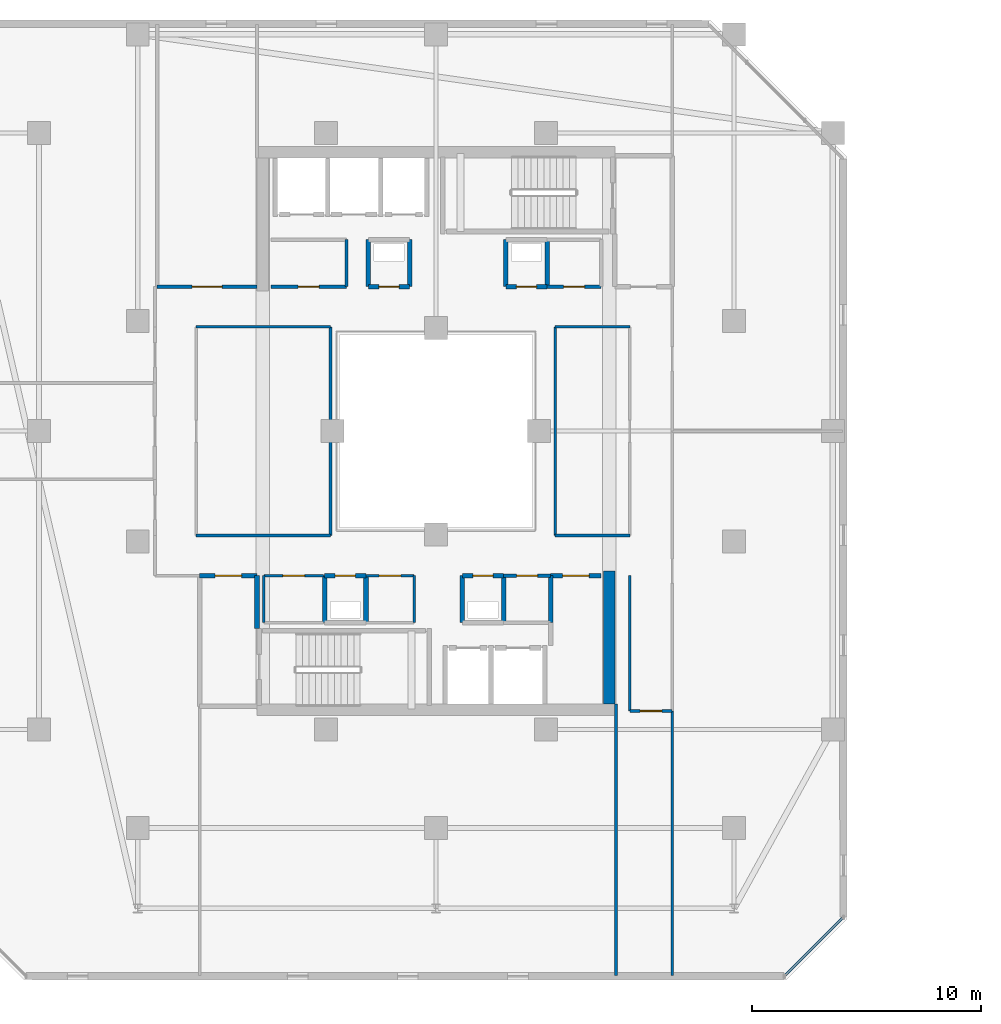
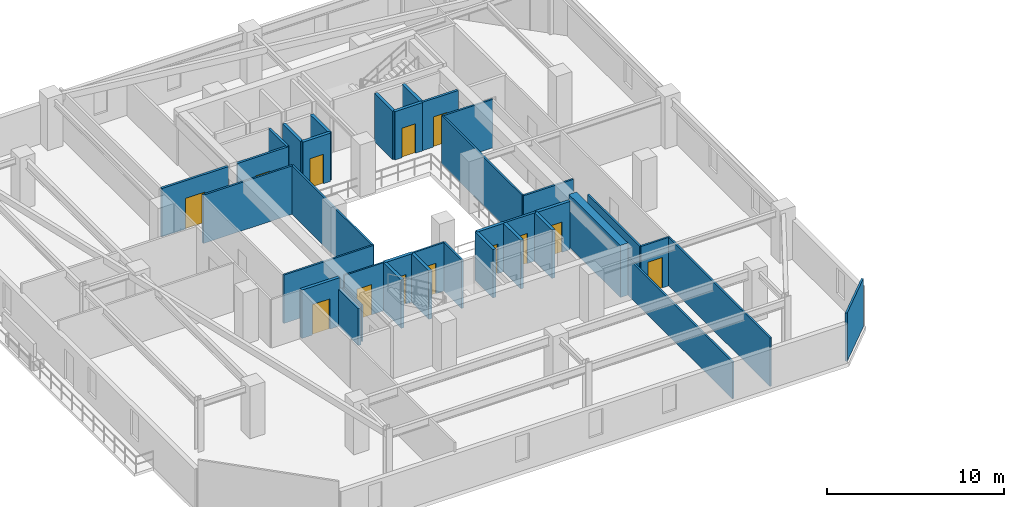
# One storey, part 19 of 31: 37 walls, 13 doors, 13 openings.
"""IFC4 building model written with IfcOpenShell, lengths in metres."""

import ifcopenshell
import ifcopenshell.guid

model = None  # the IFC model being written
_history = None  # IfcOwnerHistory: only IFC2X3 demands one
_inside = {}  # id of a spatial element -> (the spatial element, [elements in it])
_under = {}  # id of a project, library or spatial element -> (it, [spatial elements below it])
_declared = {}  # id of a project -> (the project, [libraries it declares])
_typed = {}  # id of a type object -> (the type object, [elements of that type])
_made_of = {}  # id of a material, layer set ... -> (it, [elements and type objects made of it])


def new_model(schema):
    """Start an empty IFC model of exactly this schema.

    Asked for "IFC4X3", IfcOpenShell would pick the latest addendum, in which some entities
    have other attributes; the version numbers below select the first issue.
    IFC2X3 requires an IfcOwnerHistory on every rooted entity: one is made here for all.
    """
    global model, _history
    if schema == "IFC4X3":
        model = ifcopenshell.file(schema_version=(4, 3, 0, 0))
    else:
        model = ifcopenshell.file(schema=schema)
    _inside.clear()
    _under.clear()
    _declared.clear()
    _typed.clear()
    _made_of.clear()
    _history = None
    if model.schema == "IFC2X3":
        org = make("IfcOrganization", Name="unknown")
        user = make(
            "IfcPersonAndOrganization",
            ThePerson=make("IfcPerson", FamilyName="unknown"),
            TheOrganization=org,
        )
        app = make(
            "IfcApplication",
            ApplicationDeveloper=org,
            Version="unknown",
            ApplicationFullName="unknown",
            ApplicationIdentifier="unknown",
        )
        _history = make(
            "IfcOwnerHistory",
            OwningUser=user,
            OwningApplication=app,
            ChangeAction="ADDED",
            CreationDate=0,
        )
    return model


def make(cls, **values):
    """One entity of the class cls with the attributes given. An attribute that is None is left unset."""
    return model.create_entity(
        cls, **{name: value for name, value in values.items() if value is not None}
    )


def rooted(cls, **values):
    """An entity with a GlobalId (a new one), such as an element, a storey or a relation."""
    return make(cls, GlobalId=ifcopenshell.guid.new(), OwnerHistory=_history, **values)


def si_unit(unit_type, name, prefix=None):
    """IfcSIUnit, for example si_unit("LENGTHUNIT", "METRE", prefix="MILLI")."""
    return make("IfcSIUnit", UnitType=unit_type, Prefix=prefix, Name=name)


def assignment(units):
    """IfcUnitAssignment: the units of a project."""
    return None if units is None else make("IfcUnitAssignment", Units=units)


def point(xyz):
    """IfcCartesianPoint."""
    return None if xyz is None else make("IfcCartesianPoint", Coordinates=xyz)


def direction(xyz):
    """IfcDirection."""
    return None if xyz is None else make("IfcDirection", DirectionRatios=xyz)


def frame(location, z_axis=None, x_axis=None):
    """IfcAxis2Placement3D, a coordinate frame: its origin and axes. An axis left out is left unset."""
    return make(
        "IfcAxis2Placement3D",
        Location=point(location),
        Axis=direction(z_axis),
        RefDirection=direction(x_axis),
    )


def frame_2d(location, x_axis=None):
    """IfcAxis2Placement2D, a coordinate frame in the plane: its origin and x axis."""
    return make(
        "IfcAxis2Placement2D", Location=point(location), RefDirection=direction(x_axis)
    )


def origin():
    """The frame at (0, 0, 0) with its axes left unset."""
    return frame((0.0, 0.0, 0.0))


def place(relative_to, where):
    """IfcLocalPlacement: puts the frame where relative to a parent placement (None: the world)."""
    return make(
        "IfcLocalPlacement", PlacementRelTo=relative_to, RelativePlacement=where
    )


def context(
    kind, dimensions, precision=None, world=None, true_north=None, identifier=None
):
    """IfcGeometricRepresentationContext, for example the 3D "Model" context."""
    return make(
        "IfcGeometricRepresentationContext",
        ContextIdentifier=identifier,
        ContextType=kind,
        CoordinateSpaceDimension=dimensions,
        Precision=precision,
        WorldCoordinateSystem=world,
        TrueNorth=true_north,
    )


def subcontext(parent, identifier, kind, view, scale=None):
    """IfcGeometricRepresentationSubContext, for example "Body" below "Model"."""
    return make(
        "IfcGeometricRepresentationSubContext",
        ContextIdentifier=identifier,
        ContextType=kind,
        ParentContext=parent,
        TargetScale=scale,
        TargetView=view,
    )


def project(units=None, contexts=None):
    """IfcProject with its units and contexts."""
    return rooted(
        "IfcProject",
        Name="project",
        RepresentationContexts=contexts,
        UnitsInContext=assignment(units),
    )


def spatial(cls, under=None, at=None, **own):
    """A site, building, storey or space (cls), placed at a placement, below another one or the project."""
    s = rooted(cls, ObjectPlacement=at, **own)
    if under is not None:
        _under.setdefault(under.id(), (under, []))[1].append(s)
    return s


def profile(cls, at=None, kind="AREA", **sizes):
    """A parametric profile (cls). Its sizes go by their IFC names, for example OverallWidth=200.0."""
    return make(cls, ProfileType=kind, Position=at, **sizes)


def rectangle(**sizes):
    """IfcRectangleProfileDef."""
    return profile("IfcRectangleProfileDef", **sizes)


def extrude(swept, where, along, depth):
    """IfcExtrudedAreaSolid: the profile swept, set in the frame where, extruded along a direction by depth."""
    return make(
        "IfcExtrudedAreaSolid",
        SweptArea=swept,
        Position=where,
        ExtrudedDirection=direction(along),
        Depth=depth,
    )


def shape(context_of_items, identifier, shape_type, items):
    """IfcShapeRepresentation: the items that make up one representation, for example the "Body"."""
    return make(
        "IfcShapeRepresentation",
        ContextOfItems=context_of_items,
        RepresentationIdentifier=identifier,
        RepresentationType=shape_type,
        Items=items,
    )


def material(Name=None, Category=None):
    """IfcMaterial."""
    return make("IfcMaterial", Name=Name, Category=Category)


def layer(
    of_material, thickness, ventilated=None, Name=None, Category=None, Priority=None
):
    """IfcMaterialLayer: one layer of a wall or slab, of a material (None: an air gap)."""
    return make(
        "IfcMaterialLayer",
        Material=of_material,
        LayerThickness=thickness,
        IsVentilated=ventilated,
        Name=Name,
        Category=Category,
        Priority=Priority,
    )


def layer_set(layers, Name=None):
    """IfcMaterialLayerSet."""
    return make("IfcMaterialLayerSet", MaterialLayers=layers, LayerSetName=Name)


def made_of(thing, what):
    """Note that an element or type object is made of a material, layer set ...; save() writes the relation."""
    if what is not None:
        _made_of.setdefault(what.id(), (what, []))[1].append(thing)
    return thing


def type_object(cls, material=None, **own):
    """A type object (cls), such as IfcWallType, which elements share."""
    return made_of(rooted(cls, **own), material)


def element(
    cls,
    number,
    at=None,
    inside=None,
    cuts=None,
    type_object=None,
    material=None,
    context=None,
    identifier="Body",
    shape_type=None,
    held_by="IfcProductDefinitionShape",
    body=None,
    shapes=None,
    **own,
):
    """One element of the class cls, such as IfcWall. Its Tag is "e" and its number.

    at: its placement. inside: the storey or other place that contains it. cuts: it is an
    opening in that element (IfcRelVoidsElement). A single representation is given by context,
    identifier, shape_type and body (its items); several are given by shapes. held_by: the class
    of the entity that holds the representations. save() writes the other relations.
    """
    e = rooted(cls, Tag="e%d" % number, ObjectPlacement=at, **own)
    if body is not None:
        shapes = [shape(context, identifier, shape_type, body)]
    if shapes is not None:
        e.Representation = make(held_by, Representations=shapes)
    if inside is not None:
        _inside.setdefault(inside.id(), (inside, []))[1].append(e)
    if cuts is not None:
        rooted(
            "IfcRelVoidsElement", RelatingBuildingElement=cuts, RelatedOpeningElement=e
        )
    if type_object is not None:
        _typed.setdefault(type_object.id(), (type_object, []))[1].append(e)
    return made_of(e, material)


def fill(opening, filler):
    """IfcRelFillsElement: the door or window that sits in an opening."""
    return rooted(
        "IfcRelFillsElement",
        RelatingOpeningElement=opening,
        RelatedBuildingElement=filler,
    )


def aggregate(whole, parts):
    """IfcRelAggregates: a whole, such as a stair, and the parts it consists of."""
    return rooted("IfcRelAggregates", RelatingObject=whole, RelatedObjects=parts)


def save(model, path):
    """Write the relations noted so far, then the file.

    IfcRelAggregates (storeys below a building ...), IfcRelContainedInSpatialStructure (elements
    in a storey), IfcRelDefinesByType, IfcRelAssociatesMaterial and IfcRelDeclares: one each for
    every whole, place, type object, material and project.
    """
    for whole, parts in _under.values():
        aggregate(whole, parts)
    for where, things in _inside.values():
        rooted(
            "IfcRelContainedInSpatialStructure",
            RelatedElements=things,
            RelatingStructure=where,
        )
    for kind, things in _typed.values():
        rooted("IfcRelDefinesByType", RelatedObjects=things, RelatingType=kind)
    for what, things in _made_of.values():
        rooted("IfcRelAssociatesMaterial", RelatedObjects=things, RelatingMaterial=what)
    for by, libraries in _declared.values():
        rooted("IfcRelDeclares", RelatingContext=by, RelatedDefinitions=libraries)
    model.write(path)


model = new_model("IFC4")

# Units and contexts
model_context = context("Model", 3, precision=1e-05, world=origin(), true_north=direction((0.0, 1.0)))
body_context = subcontext(model_context, "Body", "Model", "MODEL_VIEW")
ifc_project = project(units=[si_unit("LENGTHUNIT", "METRE"), si_unit("AREAUNIT", "SQUARE_METRE"), si_unit("VOLUMEUNIT", "CUBIC_METRE"), si_unit("PLANEANGLEUNIT", "RADIAN"), si_unit("MASSUNIT", "GRAM", prefix="KILO")], contexts=[model_context])

# Site, building, storey
site_placement = place(None, origin())
site = spatial("IfcSite", under=ifc_project, at=site_placement, CompositionType="ELEMENT")
building_placement = place(site_placement, origin())
building = spatial("IfcBuilding", under=site, at=building_placement, Name="Thornwick Lancets Civic Towers", CompositionType="ELEMENT")
storey_placement = place(building_placement, frame((0.0, 0.0, 233.10009765625)))
storey = spatial("IfcBuildingStorey", under=building, at=storey_placement, Name="L62", CompositionType="ELEMENT", Elevation=233.10009765625)

# Wall
ifc_material_1 = material(Name="Concrete blockwork C40/50", Category="masonry")
ifc_layer_1 = layer(ifc_material_1, 0.199951171875, Name="Concrete blockwork C40/50")
ifc_layer_set_1 = layer_set([ifc_layer_1], Name="Concrete blockwork C40/50")
wall_type_1 = type_object("IfcWallType", Name="WALL_COMP_200", PredefinedType="STANDARD", material=ifc_layer_set_1)
wall_1_placement = place(storey_placement, frame((17.699951171875, 18.39990234375, 0.0), z_axis=(0.0, 0.0, 1.0), x_axis=(0.0, 1.0, 0.0)))
element("IfcWall", 1, at=wall_1_placement, inside=storey, type_object=wall_type_1, Name="L62 Partition L62-A-FFLOB1 E2", PredefinedType="STANDARD", context=body_context, shape_type="SweptSolid", body=[
    extrude(rectangle(XDim=2.300048828125, YDim=0.199951171875, at=frame_2d((1.14990234375, 0.0))), origin(), (0.0, 0.0, 1.0), 2.544921875),
])

# Wall, opening, door
wall_2_placement = place(storey_placement, frame((17.699951171875, 20.699951171875, 0.0), z_axis=(0.0, 0.0, 1.0), x_axis=(-1.0, 0.0, 0.0)))
wall_2 = element("IfcWall", 2, at=wall_2_placement, inside=storey, type_object=wall_type_1, Name="L62 Partition L62-A-FFLOB1 E3", PredefinedType="STANDARD", context=body_context, shape_type="SweptSolid", body=[
    extrude(rectangle(XDim=2.5, YDim=0.199951171875, at=frame_2d((1.25, 0.0))), origin(), (0.0, 0.0, 1.0), 3.33984375),
])
opening_1_placement = place(wall_2_placement, frame((0.675048828125, 0.0, 0.0)))
opening_1 = element("IfcOpeningElement", 3, at=opening_1_placement, cuts=wall_2, Name="Opening D-L62-2781", PredefinedType="OPENING", context=body_context, shape_type="SweptSolid", body=[
    extrude(rectangle(XDim=1.14990234375, YDim=2.10009765625, at=frame_2d((0.574951171875, 1.050048828125))), frame((0.0, 0.10986328125, 0.0), z_axis=(0.0, -1.0, 0.0), x_axis=(1.0, 0.0, 0.0)), (0.0, 0.0, 1.0), 0.219970703125),
])
ifc_material_2 = material(Name="Glazed fire-resisting steel", Category="steel")
door_type_1 = type_object("IfcDoorType", Name="DOOR_LOBBY_FD60", OperationType="NOTDEFINED", PredefinedType="DOOR", material=ifc_material_2)
door_1_placement = place(opening_1_placement, origin())
door_1 = element("IfcDoor", 4, at=door_1_placement, inside=storey, type_object=door_type_1, Name="L62 South Firefighting Lobby 1 Door", OperationType="SINGLE_SWING_RIGHT", OverallHeight=2.10009765625, OverallWidth=1.14990234375, PredefinedType="DOOR", context=body_context, shape_type="SweptSolid", body=[
    extrude(rectangle(XDim=1.14990234375, YDim=2.10009765625, at=frame_2d((0.574951171875, 1.050048828125))), frame((0.0, 0.02490234375, 0.0), z_axis=(0.0, -1.0, 0.0), x_axis=(1.0, 0.0, 0.0)), (0.0, 0.0, 1.0), 0.050048828125),
])
fill(opening_1, door_1)

# Wall
wall_3_placement = place(storey_placement, frame((28.449951171875, 18.64990234375, 0.0), z_axis=(0.0, 0.0, 1.0), x_axis=(0.0, 1.0, 0.0)))
element("IfcWall", 5, at=wall_3_placement, inside=storey, type_object=wall_type_1, Name="L62 Partition L62-A-DUCT1 E2", PredefinedType="STANDARD", context=body_context, shape_type="SweptSolid", body=[
    extrude(rectangle(XDim=2.050048828125, YDim=0.199951171875, at=frame_2d((1.02490234375, 0.0))), origin(), (0.0, 0.0, 1.0), 3.33984375),
])

# Wall, opening, door
wall_4_placement = place(storey_placement, frame((28.449951171875, 20.699951171875, 0.0), z_axis=(0.0, 0.0, 1.0), x_axis=(-1.0, 0.0, 0.0)))
wall_4 = element("IfcWall", 6, at=wall_4_placement, inside=storey, type_object=wall_type_1, Name="L62 Partition L62-A-DUCT1 E3", PredefinedType="STANDARD", context=body_context, shape_type="SweptSolid", body=[
    extrude(rectangle(XDim=1.800048828125, YDim=0.199951171875, at=frame_2d((0.89990234375, 0.0))), origin(), (0.0, 0.0, 1.0), 3.33984375),
])
opening_2_placement = place(wall_4_placement, frame((0.4599609375, 0.0, 0.0)))
opening_2 = element("IfcOpeningElement", 7, at=opening_2_placement, cuts=wall_4, Name="Opening D-L62-2783", PredefinedType="OPENING", context=body_context, shape_type="SweptSolid", body=[
    extrude(rectangle(XDim=0.8798828125, YDim=2.0400390625, at=frame_2d((0.43994140625, 1.02001953125))), frame((0.0, 0.10986328125, 0.0), z_axis=(0.0, -1.0, 0.0), x_axis=(1.0, 0.0, 0.0)), (0.0, 0.0, 1.0), 0.219970703125),
])
ifc_material_3 = material(Name="Steel riser access doorset", Category="steel")
door_type_2 = type_object("IfcDoorType", Name="DOOR_RISER_850", OperationType="NOTDEFINED", PredefinedType="DOOR", material=ifc_material_3)
door_2_placement = place(opening_2_placement, origin())
door_2 = element("IfcDoor", 8, at=door_2_placement, inside=storey, type_object=door_type_2, Name="L62 South Service Duct 1 Door", OperationType="SINGLE_SWING_RIGHT", OverallHeight=2.0400390625, OverallWidth=0.8798828125, PredefinedType="DOOR", context=body_context, shape_type="SweptSolid", body=[
    extrude(rectangle(XDim=0.8798828125, YDim=2.0400390625, at=frame_2d((0.43994140625, 1.02001953125))), frame((0.0, 0.02490234375, 0.0), z_axis=(0.0, -1.0, 0.0), x_axis=(1.0, 0.0, 0.0)), (0.0, 0.0, 1.0), 0.050048828125),
])
fill(opening_2, door_2)

# Walls
for number, where, z_axis, x_axis, name in (
    (9, (26.64990234375, 20.699951171875, 0.0), (0.0, 0.0, 1.0), (0.0, -1.0, 0.0), "L62 Partition L62-A-DUCT1 E4"),
    (10, (22.449951171875, 18.64990234375, 0.0), (0.0, 0.0, 1.0), (0.0, 1.0, 0.0), "L62 Partition L62-A-RISER1 E2"),
):
    element("IfcWall", number, at=place(storey_placement, frame(where, z_axis=z_axis, x_axis=x_axis)), inside=storey, type_object=wall_type_1, Name=name, PredefinedType="STANDARD", context=body_context, shape_type="SweptSolid", body=[
        extrude(rectangle(XDim=2.050048828125, YDim=0.199951171875, at=frame_2d((1.02490234375, 0.0))), origin(), (0.0, 0.0, 1.0), 3.33984375),
    ])

# Wall, opening, door
wall_5_placement = place(storey_placement, frame((22.449951171875, 20.699951171875, 0.0), z_axis=(0.0, 0.0, 1.0), x_axis=(-1.0, 0.0, 0.0)))
wall_5 = element("IfcWall", 11, at=wall_5_placement, inside=storey, type_object=wall_type_1, Name="L62 Partition L62-A-RISER1 E3", PredefinedType="STANDARD", context=body_context, shape_type="SweptSolid", body=[
    extrude(rectangle(XDim=1.800048828125, YDim=0.199951171875, at=frame_2d((0.89990234375, 0.0))), origin(), (0.0, 0.0, 1.0), 3.33984375),
])
opening_3_placement = place(wall_5_placement, frame((0.4599609375, 0.0, 0.0)))
opening_3 = element("IfcOpeningElement", 12, at=opening_3_placement, cuts=wall_5, Name="Opening D-L62-2784", PredefinedType="OPENING", context=body_context, shape_type="SweptSolid", body=[
    extrude(rectangle(XDim=0.8798828125, YDim=2.0400390625, at=frame_2d((0.43994140625, 1.02001953125))), frame((0.0, 0.10986328125, 0.0), z_axis=(0.0, -1.0, 0.0), x_axis=(1.0, 0.0, 0.0)), (0.0, 0.0, 1.0), 0.219970703125),
])
door_3_placement = place(opening_3_placement, origin())
door_3 = element("IfcDoor", 13, at=door_3_placement, inside=storey, type_object=door_type_2, Name="L62 South Electrical Riser 1 Door", OperationType="SINGLE_SWING_LEFT", OverallHeight=2.0400390625, OverallWidth=0.8798828125, PredefinedType="DOOR", context=body_context, shape_type="SweptSolid", body=[
    extrude(rectangle(XDim=0.8798828125, YDim=2.0400390625, at=frame_2d((0.43994140625, 1.02001953125))), frame((0.0, 0.02490234375, 0.0), z_axis=(0.0, -1.0, 0.0), x_axis=(1.0, 0.0, 0.0)), (0.0, 0.0, 1.0), 0.050048828125),
])
fill(opening_3, door_3)

# Wall
wall_6_placement = place(storey_placement, frame((20.64990234375, 20.699951171875, 0.0), z_axis=(0.0, 0.0, 1.0), x_axis=(0.0, -1.0, 0.0)))
element("IfcWall", 14, at=wall_6_placement, inside=storey, type_object=wall_type_1, Name="L62 Partition L62-A-RISER1 E4", PredefinedType="STANDARD", context=body_context, shape_type="SweptSolid", body=[
    extrude(rectangle(XDim=2.050048828125, YDim=0.199951171875, at=frame_2d((1.02490234375, 0.0))), origin(), (0.0, 0.0, 1.0), 3.33984375),
])

# Wall, opening, door
wall_7_placement = place(storey_placement, frame((22.550048828125, 33.300048828125, 0.0), z_axis=(0.0, 0.0, 1.0), x_axis=(1.0, 0.0, 0.0)))
wall_7 = element("IfcWall", 15, at=wall_7_placement, inside=storey, type_object=wall_type_1, Name="L62 Partition L62-A-DUCT2 E1", PredefinedType="STANDARD", context=body_context, shape_type="SweptSolid", body=[
    extrude(rectangle(XDim=1.800048828125, YDim=0.199951171875, at=frame_2d((0.89990234375, 0.0))), origin(), (0.0, 0.0, 1.0), 3.33984375),
])
opening_4_placement = place(wall_7_placement, frame((0.4599609375, 0.0, 0.0)))
opening_4 = element("IfcOpeningElement", 16, at=opening_4_placement, cuts=wall_7, Name="Opening D-L62-2785", PredefinedType="OPENING", context=body_context, shape_type="SweptSolid", body=[
    extrude(rectangle(XDim=0.8798828125, YDim=2.0400390625, at=frame_2d((0.43994140625, 1.02001953125))), frame((0.0, 0.10986328125, 0.0), z_axis=(0.0, -1.0, 0.0), x_axis=(1.0, 0.0, 0.0)), (0.0, 0.0, 1.0), 0.219970703125),
])
door_4_placement = place(opening_4_placement, origin())
door_4 = element("IfcDoor", 17, at=door_4_placement, inside=storey, type_object=door_type_2, Name="L62 North Service Duct 2 Door", OperationType="SINGLE_SWING_RIGHT", OverallHeight=2.0400390625, OverallWidth=0.8798828125, PredefinedType="DOOR", context=body_context, shape_type="SweptSolid", body=[
    extrude(rectangle(XDim=0.8798828125, YDim=2.0400390625, at=frame_2d((0.43994140625, 1.02001953125))), frame((0.0, 0.02490234375, 0.0), z_axis=(0.0, -1.0, 0.0), x_axis=(1.0, 0.0, 0.0)), (0.0, 0.0, 1.0), 0.050048828125),
])
fill(opening_4, door_4)

# Walls
for number, where, z_axis, x_axis, name in (
    (18, (24.35009765625, 33.300048828125, 0.0), (0.0, 0.0, 1.0), (0.0, 1.0, 0.0), "L62 Partition L62-A-DUCT2 E2"),
    (19, (22.550048828125, 35.35009765625, 0.0), (0.0, 0.0, 1.0), (0.0, -1.0, 0.0), "L62 Partition L62-A-DUCT2 E4"),
):
    element("IfcWall", number, at=place(storey_placement, frame(where, z_axis=z_axis, x_axis=x_axis)), inside=storey, type_object=wall_type_1, Name=name, PredefinedType="STANDARD", context=body_context, shape_type="SweptSolid", body=[
        extrude(rectangle(XDim=2.050048828125, YDim=0.199951171875, at=frame_2d((1.02490234375, 0.0))), origin(), (0.0, 0.0, 1.0), 3.33984375),
    ])

# Wall, opening, door
wall_8_placement = place(storey_placement, frame((28.550048828125, 33.300048828125, 0.0), z_axis=(0.0, 0.0, 1.0), x_axis=(1.0, 0.0, 0.0)))
wall_8 = element("IfcWall", 20, at=wall_8_placement, inside=storey, type_object=wall_type_1, Name="L62 Partition L62-A-RISER2 E1", PredefinedType="STANDARD", context=body_context, shape_type="SweptSolid", body=[
    extrude(rectangle(XDim=1.800048828125, YDim=0.199951171875, at=frame_2d((0.89990234375, 0.0))), origin(), (0.0, 0.0, 1.0), 3.33984375),
])
opening_5_placement = place(wall_8_placement, frame((0.4599609375, 0.0, 0.0)))
opening_5 = element("IfcOpeningElement", 21, at=opening_5_placement, cuts=wall_8, Name="Opening D-L62-2786", PredefinedType="OPENING", context=body_context, shape_type="SweptSolid", body=[
    extrude(rectangle(XDim=0.8798828125, YDim=2.0400390625, at=frame_2d((0.43994140625, 1.02001953125))), frame((0.0, 0.10986328125, 0.0), z_axis=(0.0, -1.0, 0.0), x_axis=(1.0, 0.0, 0.0)), (0.0, 0.0, 1.0), 0.219970703125),
])
door_5_placement = place(opening_5_placement, origin())
door_5 = element("IfcDoor", 22, at=door_5_placement, inside=storey, type_object=door_type_2, Name="L62 North Service Riser 2 Door", OperationType="SINGLE_SWING_LEFT", OverallHeight=2.0400390625, OverallWidth=0.8798828125, PredefinedType="DOOR", context=body_context, shape_type="SweptSolid", body=[
    extrude(rectangle(XDim=0.8798828125, YDim=2.0400390625, at=frame_2d((0.43994140625, 1.02001953125))), frame((0.0, 0.02490234375, 0.0), z_axis=(0.0, -1.0, 0.0), x_axis=(1.0, 0.0, 0.0)), (0.0, 0.0, 1.0), 0.050048828125),
])
fill(opening_5, door_5)

# Walls
for number, where, z_axis, x_axis, name in (
    (23, (30.35009765625, 33.300048828125, 0.0), (0.0, 0.0, 1.0), (0.0, 1.0, 0.0), "L62 Partition L62-A-RISER2 E2"),
    (24, (28.550048828125, 35.35009765625, 0.0), (0.0, 0.0, 1.0), (0.0, -1.0, 0.0), "L62 Partition L62-A-RISER2 E4"),
    (25, (30.5, 18.64990234375, 0.0), (0.0, 0.0, 1.0), (0.0, 1.0, 0.0), "L62 Partition L62-A-STR2 E4"),
):
    element("IfcWall", number, at=place(storey_placement, frame(where, z_axis=z_axis, x_axis=x_axis)), inside=storey, type_object=wall_type_1, Name=name, PredefinedType="STANDARD", context=body_context, shape_type="SweptSolid", body=[
        extrude(rectangle(XDim=2.050048828125, YDim=0.199951171875, at=frame_2d((1.02490234375, 0.0))), origin(), (0.0, 0.0, 1.0), 3.33984375),
    ])

# Wall, opening, door
wall_9_placement = place(storey_placement, frame((30.5, 20.699951171875, 0.0), z_axis=(0.0, 0.0, 1.0), x_axis=(1.0, 0.0, 0.0)))
wall_9 = element("IfcWall", 26, at=wall_9_placement, inside=storey, type_object=wall_type_1, Name="L62 Partition L62-A-STR2 E5", PredefinedType="STANDARD", context=body_context, shape_type="SweptSolid", body=[
    extrude(rectangle(XDim=2.199951171875, YDim=0.199951171875, at=frame_2d((1.10009765625, 0.0))), origin(), (0.0, 0.0, 1.0), 3.33984375),
])
opening_6_placement = place(wall_9_placement, frame((0.52490234375, 0.0, 0.0)))
opening_6 = element("IfcOpeningElement", 27, at=opening_6_placement, cuts=wall_9, Name="Opening D-L62-2790", PredefinedType="OPENING", context=body_context, shape_type="SweptSolid", body=[
    extrude(rectangle(XDim=1.14990234375, YDim=2.10009765625, at=frame_2d((0.574951171875, 1.050048828125))), frame((0.0, 0.10986328125, 0.0), z_axis=(0.0, -1.0, 0.0), x_axis=(1.0, 0.0, 0.0)), (0.0, 0.0, 1.0), 0.219970703125),
])
door_6_placement = place(opening_6_placement, origin())
door_6 = element("IfcDoor", 28, at=door_6_placement, inside=storey, type_object=door_type_1, Name="L62 Tower A Core Supplies Store Door", OperationType="SINGLE_SWING_LEFT", OverallHeight=2.10009765625, OverallWidth=1.14990234375, PredefinedType="DOOR", context=body_context, shape_type="SweptSolid", body=[
    extrude(rectangle(XDim=1.14990234375, YDim=2.10009765625, at=frame_2d((0.574951171875, 1.050048828125))), frame((0.0, 0.02490234375, 0.0), z_axis=(0.0, -1.0, 0.0), x_axis=(1.0, 0.0, 0.0)), (0.0, 0.0, 1.0), 0.050048828125),
])
fill(opening_6, door_6)

# Wall
ifc_material_4 = material(Name="Concrete C50/60", Category="concrete")
ifc_layer_2 = layer(ifc_material_4, 0.5, Name="Concrete C50/60")
ifc_layer_set_2 = layer_set([ifc_layer_2], Name="Concrete C50/60")
wall_type_2 = type_object("IfcWallType", Name="WALL_CORE_500", PredefinedType="SHEAR", material=ifc_layer_set_2)
wall_10_placement = place(storey_placement, frame((33.050048828125, 15.10009765625, 0.0), z_axis=(0.0, 0.0, 1.0), x_axis=(0.0, 1.0, 0.0)))
element("IfcWall", 29, at=wall_10_placement, inside=storey, type_object=wall_type_2, Name="L62 Split Core A1 Shear Wall E", PredefinedType="SHEAR", context=body_context, shape_type="SweptSolid", body=[
    extrude(rectangle(XDim=5.7998046875, YDim=0.5, at=frame_2d((2.89990234375, 0.0))), origin(), (0.0, 0.0, 1.0), 3.599853515625),
])

# Wall, opening, door
ifc_material_5 = material(Name="Lightweight cellular office partition")
ifc_layer_3 = layer(ifc_material_5, 0.10009765625, Name="Lightweight cellular office partition")
ifc_layer_set_3 = layer_set([ifc_layer_3], Name="Lightweight cellular office partition")
wall_type_3 = type_object("IfcWallType", Name="WALL_PART_100", PredefinedType="PARTITIONING", material=ifc_layer_set_3)
wall_11_placement = place(storey_placement, frame((20.60009765625, 20.699951171875, 0.0), z_axis=(0.0, 0.0, 1.0), x_axis=(-1.0, 0.0, 0.0)))
wall_11 = element("IfcWall", 30, at=wall_11_placement, inside=storey, type_object=wall_type_3, Name="L62 Partition L62-A-CLN E3", PredefinedType="PARTITIONING", context=body_context, shape_type="SweptSolid", body=[
    extrude(rectangle(XDim=2.60009765625, YDim=0.10009765625, at=frame_2d((1.300048828125, 0.0))), origin(), (0.0, 0.0, 1.0), 3.33984375),
])
opening_7_placement = place(wall_11_placement, frame((0.824951171875, 0.0, 0.0)))
opening_7 = element("IfcOpeningElement", 31, at=opening_7_placement, cuts=wall_11, Name="Opening D-L62-2787", PredefinedType="OPENING", context=body_context, shape_type="SweptSolid", body=[
    extrude(rectangle(XDim=0.949951171875, YDim=2.10009765625, at=frame_2d((0.47509765625, 1.050048828125))), frame((0.0, 0.06005859375, 0.0), z_axis=(0.0, -1.0, 0.0), x_axis=(1.0, 0.0, 0.0)), (0.0, 0.0, 1.0), 0.1201171875),
])
ifc_material_6 = material(Name="European oak acoustic doorset")
door_type_3 = type_object("IfcDoorType", Name="DOOR_OFFICE_950", OperationType="NOTDEFINED", PredefinedType="DOOR", material=ifc_material_6)
door_7_placement = place(opening_7_placement, origin())
door_7 = element("IfcDoor", 32, at=door_7_placement, inside=storey, type_object=door_type_3, Name="L62 Tower A Cleaners Store Door", OperationType="SINGLE_SWING_RIGHT", OverallHeight=2.10009765625, OverallWidth=0.949951171875, PredefinedType="DOOR", context=body_context, shape_type="SweptSolid", body=[
    extrude(rectangle(XDim=0.949951171875, YDim=2.10009765625, at=frame_2d((0.47509765625, 1.050048828125))), frame((0.0, 0.02490234375, 0.0), z_axis=(0.0, -1.0, 0.0), x_axis=(1.0, 0.0, 0.0)), (0.0, 0.0, 1.0), 0.050048828125),
])
fill(opening_7, door_7)

# Walls
wall_12_placement = place(storey_placement, frame((18.0, 20.699951171875, 0.0), z_axis=(0.0, 0.0, 1.0), x_axis=(0.0, -1.0, 0.0)))
element("IfcWall", 33, at=wall_12_placement, inside=storey, type_object=wall_type_3, Name="L62 Partition L62-A-CLN E4", PredefinedType="PARTITIONING", context=body_context, shape_type="SweptSolid", body=[
    extrude(rectangle(XDim=2.050048828125, YDim=0.10009765625, at=frame_2d((1.02490234375, 0.0))), origin(), (0.0, 0.0, 1.0), 2.544921875),
])
ifc_material_7 = material(Name="Acoustic gypsum board partition")
ifc_layer_4 = layer(ifc_material_7, 0.1201171875, Name="Acoustic gypsum board partition")
ifc_layer_set_4 = layer_set([ifc_layer_4], Name="Acoustic gypsum board partition")
wall_type_4 = type_object("IfcWallType", Name="WALL_PART_120", PredefinedType="PARTITIONING", material=ifc_layer_set_4)
wall_13_placement = place(storey_placement, frame((24.550048828125, 20.699951171875, 0.0), z_axis=(0.0, 0.0, 1.0), x_axis=(0.0, -1.0, 0.0)))
element("IfcWall", 34, at=wall_13_placement, inside=storey, type_object=wall_type_4, Name="L62 Partition L62-A-ITR E1", PredefinedType="PARTITIONING", context=body_context, shape_type="SweptSolid", body=[
    extrude(rectangle(XDim=2.050048828125, YDim=0.1201171875, at=frame_2d((1.02490234375, 0.0))), origin(), (0.0, 0.0, 1.0), 3.33984375),
])

# Wall, opening, door
wall_14_placement = place(storey_placement, frame((22.449951171875, 20.699951171875, 0.0), z_axis=(0.0, 0.0, 1.0), x_axis=(1.0, 0.0, 0.0)))
wall_14 = element("IfcWall", 35, at=wall_14_placement, inside=storey, type_object=wall_type_4, Name="L62 Partition L62-A-ITR E4", PredefinedType="PARTITIONING", context=body_context, shape_type="SweptSolid", body=[
    extrude(rectangle(XDim=2.10009765625, YDim=0.1201171875, at=frame_2d((1.050048828125, 0.0))), origin(), (0.0, 0.0, 1.0), 3.33984375),
])
opening_8_placement = place(wall_14_placement, frame((0.574951171875, 0.0, 0.0)))
opening_8 = element("IfcOpeningElement", 36, at=opening_8_placement, cuts=wall_14, Name="Opening D-L62-2788", PredefinedType="OPENING", context=body_context, shape_type="SweptSolid", body=[
    extrude(rectangle(XDim=0.949951171875, YDim=2.10009765625, at=frame_2d((0.47509765625, 1.050048828125))), frame((0.0, 0.070068359375, 0.0), z_axis=(0.0, -1.0, 0.0), x_axis=(1.0, 0.0, 0.0)), (0.0, 0.0, 1.0), 0.14013671875),
])
door_8_placement = place(opening_8_placement, origin())
door_8 = element("IfcDoor", 37, at=door_8_placement, inside=storey, type_object=door_type_3, Name="L62 Tower A Comms Patch Room Door", OperationType="SINGLE_SWING_LEFT", OverallHeight=2.10009765625, OverallWidth=0.949951171875, PredefinedType="DOOR", context=body_context, shape_type="SweptSolid", body=[
    extrude(rectangle(XDim=0.949951171875, YDim=2.10009765625, at=frame_2d((0.47509765625, 1.050048828125))), frame((0.0, 0.02490234375, 0.0), z_axis=(0.0, -1.0, 0.0), x_axis=(1.0, 0.0, 0.0)), (0.0, 0.0, 1.0), 0.050048828125),
])
fill(opening_8, door_8)

# Wall
wall_15_placement = place(storey_placement, frame((33.949951171875, 20.699951171875, 0.0), z_axis=(0.0, 0.0, 1.0), x_axis=(0.0, -1.0, 0.0)))
element("IfcWall", 38, at=wall_15_placement, inside=storey, type_object=wall_type_4, Name="L62 Partition L62-A-RECLAIM-L E1", PredefinedType="PARTITIONING", context=body_context, shape_type="SweptSolid", body=[
    extrude(rectangle(XDim=5.89990234375, YDim=0.1201171875, at=frame_2d((2.949951171875, 0.0))), origin(), (0.0, 0.0, 1.0), 3.33984375),
])

# Wall, opening, door
wall_16_placement = place(storey_placement, frame((33.949951171875, 14.800048828125, 0.0), z_axis=(0.0, 0.0, 1.0), x_axis=(1.0, 0.0, 0.0)))
wall_16 = element("IfcWall", 39, at=wall_16_placement, inside=storey, type_object=wall_type_4, Name="L62 Partition L62-A-RECLAIM-L E2", PredefinedType="PARTITIONING", context=body_context, shape_type="SweptSolid", body=[
    extrude(rectangle(XDim=1.85009765625, YDim=0.1201171875, at=frame_2d((0.925048828125, 0.0))), origin(), (0.0, 0.0, 1.0), 3.33984375),
])
opening_9_placement = place(wall_16_placement, frame((0.449951171875, 0.0, 0.0)))
opening_9 = element("IfcOpeningElement", 40, at=opening_9_placement, cuts=wall_16, Name="Opening D-L62-2805", PredefinedType="OPENING", context=body_context, shape_type="SweptSolid", body=[
    extrude(rectangle(XDim=0.949951171875, YDim=2.10009765625, at=frame_2d((0.47509765625, 1.050048828125))), frame((0.0, 0.070068359375, 0.0), z_axis=(0.0, -1.0, 0.0), x_axis=(1.0, 0.0, 0.0)), (0.0, 0.0, 1.0), 0.14013671875),
])
door_9_placement = place(opening_9_placement, origin())
door_9 = element("IfcDoor", 41, at=door_9_placement, inside=storey, type_object=door_type_3, Name="L62 Tower A Parliamentary Drafting Library Door", OperationType="SINGLE_SWING_RIGHT", OverallHeight=2.10009765625, OverallWidth=0.949951171875, PredefinedType="DOOR", context=body_context, shape_type="SweptSolid", body=[
    extrude(rectangle(XDim=0.949951171875, YDim=2.10009765625, at=frame_2d((0.47509765625, 1.050048828125))), frame((0.0, 0.02490234375, 0.0), z_axis=(0.0, -1.0, 0.0), x_axis=(1.0, 0.0, 0.0)), (0.0, 0.0, 1.0), 0.050048828125),
])
fill(opening_9, door_9)

# Walls
wall_17_placement = place(storey_placement, frame((35.800048828125, 14.800048828125, 0.0), z_axis=(0.0, 0.0, 1.0), x_axis=(0.0, -1.0, 0.0)))
element("IfcWall", 42, at=wall_17_placement, inside=storey, type_object=wall_type_4, Name="L62 Partition L62-A-RECLAIM-L E3", PredefinedType="PARTITIONING", context=body_context, shape_type="SweptSolid", body=[
    extrude(rectangle(XDim=11.52001953125, YDim=0.1201171875, at=frame_2d((5.760009765625, 0.0))), origin(), (0.0, 0.0, 1.0), 3.33984375),
])
wall_18_placement = place(storey_placement, frame((33.35009765625, 3.280029296875, 0.0), z_axis=(0.0, 0.0, 1.0), x_axis=(0.0, 1.0, 0.0)))
element("IfcWall", 43, at=wall_18_placement, inside=storey, type_object=wall_type_4, Name="L62 Partition L62-A-RECLAIM-L E5", PredefinedType="PARTITIONING", context=body_context, shape_type="SweptSolid", body=[
    extrude(rectangle(XDim=11.820068359375, YDim=0.1201171875, at=frame_2d((5.91015625, 0.0))), origin(), (0.0, 0.0, 1.0), 2.544921875),
])
wall_19_placement = place(storey_placement, frame((15.050048828125, 31.550048828125, 0.0), z_axis=(0.0, 0.0, 1.0), x_axis=(1.0, 0.0, 0.0)))
element("IfcWall", 44, at=wall_19_placement, inside=storey, type_object=wall_type_4, Name="L62 Partition L62-A-W3 E2", PredefinedType="PARTITIONING", context=body_context, shape_type="SweptSolid", body=[
    extrude(rectangle(XDim=5.849853515625, YDim=0.1201171875, at=frame_2d((2.9248046875, 0.0))), origin(), (0.0, 0.0, 1.0), 3.33984375),
])
wall_20_placement = place(storey_placement, frame((20.89990234375, 31.550048828125, 0.0), z_axis=(0.0, 0.0, 1.0), x_axis=(0.0, -1.0, 0.0)))
element("IfcWall", 45, at=wall_20_placement, inside=storey, type_object=wall_type_4, Name="L62 Partition L62-A-W3 E3", PredefinedType="PARTITIONING", context=body_context, shape_type="SweptSolid", body=[
    extrude(rectangle(XDim=9.10009765625, YDim=0.1201171875, at=frame_2d((4.550048828125, 0.0))), origin(), (0.0, 0.0, 1.0), 3.33984375),
])
wall_21_placement = place(storey_placement, frame((20.89990234375, 22.449951171875, 0.0), z_axis=(0.0, 0.0, 1.0), x_axis=(-1.0, 0.0, 0.0)))
element("IfcWall", 46, at=wall_21_placement, inside=storey, type_object=wall_type_4, Name="L62 Partition L62-A-W3 E4", PredefinedType="PARTITIONING", context=body_context, shape_type="SweptSolid", body=[
    extrude(rectangle(XDim=5.849853515625, YDim=0.1201171875, at=frame_2d((2.9248046875, 0.0))), origin(), (0.0, 0.0, 1.0), 3.33984375),
])
wall_22_placement = place(storey_placement, frame((43.219970703125, 5.774658203125, 0.0), z_axis=(0.0, 0.0, 1.0), x_axis=(-0.707106781187, -0.707106781187, 0.0)))
element("IfcWall", 47, at=wall_22_placement, inside=storey, type_object=wall_type_4, Name="L62 Partition L62-A-E1 E6", PredefinedType="PARTITIONING", context=body_context, shape_type="SweptSolid", body=[
    extrude(rectangle(XDim=3.52783203125, YDim=0.1201171875, at=frame_2d((1.763916015625, 0.0))), origin(), (0.0, 0.0, 1.0), 3.33984375),
])
wall_23_placement = place(storey_placement, frame((30.699951171875, 22.449951171875, 0.0), z_axis=(0.0, 0.0, 1.0), x_axis=(0.0, 1.0, 0.0)))
element("IfcWall", 48, at=wall_23_placement, inside=storey, type_object=wall_type_4, Name="L62 Partition L62-A-E-ATRIUM-OFF E1", PredefinedType="PARTITIONING", context=body_context, shape_type="SweptSolid", body=[
    extrude(rectangle(XDim=9.10009765625, YDim=0.1201171875, at=frame_2d((4.550048828125, 0.0))), origin(), (0.0, 0.0, 1.0), 3.33984375),
])
for number, where, z_axis, x_axis, name in (
    (49, (30.699951171875, 31.550048828125, 0.0), (0.0, 0.0, 1.0), (1.0, 0.0, 0.0), "L62 Partition L62-A-E-ATRIUM-OFF E2"),
    (50, (33.949951171875, 22.449951171875, 0.0), (0.0, 0.0, 1.0), (-1.0, 0.0, 0.0), "L62 Partition L62-A-E-ATRIUM-OFF E4"),
):
    element("IfcWall", number, at=place(storey_placement, frame(where, z_axis=z_axis, x_axis=x_axis)), inside=storey, type_object=wall_type_4, Name=name, PredefinedType="PARTITIONING", context=body_context, shape_type="SweptSolid", body=[
        extrude(rectangle(XDim=3.25, YDim=0.1201171875, at=frame_2d((1.625, 0.0))), origin(), (0.0, 0.0, 1.0), 3.33984375),
    ])

# Wall, opening, door
ifc_material_8 = material(Name="Twin-stud acoustic gypsum board")
ifc_layer_5 = layer(ifc_material_8, 0.14990234375, Name="Twin-stud acoustic gypsum board")
ifc_layer_set_5 = layer_set([ifc_layer_5], Name="Twin-stud acoustic gypsum board")
wall_type_5 = type_object("IfcWallType", Name="WALL_PART_150", PredefinedType="PARTITIONING", material=ifc_layer_set_5)
wall_24_placement = place(storey_placement, frame((28.449951171875, 20.699951171875, 0.0), z_axis=(0.0, 0.0, 1.0), x_axis=(1.0, 0.0, 0.0)))
wall_24 = element("IfcWall", 51, at=wall_24_placement, inside=storey, type_object=wall_type_5, Name="L62 Partition L62-A-AWC E4", PredefinedType="PARTITIONING", context=body_context, shape_type="SweptSolid", body=[
    extrude(rectangle(XDim=2.050048828125, YDim=0.14990234375, at=frame_2d((1.02490234375, 0.0))), origin(), (0.0, 0.0, 1.0), 3.33984375),
])
opening_10_placement = place(wall_24_placement, frame((0.56494140625, 0.0, 0.0)))
opening_10 = element("IfcOpeningElement", 52, at=opening_10_placement, cuts=wall_24, Name="Opening D-L62-2789", PredefinedType="OPENING", context=body_context, shape_type="SweptSolid", body=[
    extrude(rectangle(XDim=0.919921875, YDim=2.080078125, at=frame_2d((0.4599609375, 1.0400390625))), frame((0.0, 0.0849609375, 0.0), z_axis=(0.0, -1.0, 0.0), x_axis=(1.0, 0.0, 0.0)), (0.0, 0.0, 1.0), 0.169921875),
])
ifc_material_9 = material(Name="Moisture-resistant oak doorset")
door_type_4 = type_object("IfcDoorType", Name="DOOR_WC_900", OperationType="NOTDEFINED", PredefinedType="DOOR", material=ifc_material_9)
door_10_placement = place(opening_10_placement, origin())
door_10 = element("IfcDoor", 53, at=door_10_placement, inside=storey, type_object=door_type_4, Name="L62 Tower A Accessible WC Door", OperationType="SINGLE_SWING_RIGHT", OverallHeight=2.080078125, OverallWidth=0.919921875, PredefinedType="DOOR", context=body_context, shape_type="SweptSolid", body=[
    extrude(rectangle(XDim=0.919921875, YDim=2.080078125, at=frame_2d((0.4599609375, 1.0400390625))), frame((0.0, 0.02490234375, 0.0), z_axis=(0.0, -1.0, 0.0), x_axis=(1.0, 0.0, 0.0)), (0.0, 0.0, 1.0), 0.050048828125),
])
fill(opening_10, door_10)

wall_25_placement = place(storey_placement, frame((18.300048828125, 33.300048828125, 0.0), z_axis=(0.0, 0.0, 1.0), x_axis=(1.0, 0.0, 0.0)))
wall_25 = element("IfcWall", 54, at=wall_25_placement, inside=storey, type_object=wall_type_5, Name="L62 Partition L62-A-MWC E1", PredefinedType="PARTITIONING", context=body_context, shape_type="SweptSolid", body=[
    extrude(rectangle(XDim=3.300048828125, YDim=0.14990234375, at=frame_2d((1.64990234375, 0.0))), origin(), (0.0, 0.0, 1.0), 3.33984375),
])
opening_11_placement = place(wall_25_placement, frame((1.18994140625, 0.0, 0.0)))
opening_11 = element("IfcOpeningElement", 55, at=opening_11_placement, cuts=wall_25, Name="Opening D-L62-2791", PredefinedType="OPENING", context=body_context, shape_type="SweptSolid", body=[
    extrude(rectangle(XDim=0.919921875, YDim=2.080078125, at=frame_2d((0.4599609375, 1.0400390625))), frame((0.0, 0.0849609375, 0.0), z_axis=(0.0, -1.0, 0.0), x_axis=(1.0, 0.0, 0.0)), (0.0, 0.0, 1.0), 0.169921875),
])
door_11_placement = place(opening_11_placement, origin())
door_11 = element("IfcDoor", 56, at=door_11_placement, inside=storey, type_object=door_type_4, Name="L62 Tower A Male WC Door", OperationType="SINGLE_SWING_RIGHT", OverallHeight=2.080078125, OverallWidth=0.919921875, PredefinedType="DOOR", context=body_context, shape_type="SweptSolid", body=[
    extrude(rectangle(XDim=0.919921875, YDim=2.080078125, at=frame_2d((0.4599609375, 1.0400390625))), frame((0.0, 0.02490234375, 0.0), z_axis=(0.0, -1.0, 0.0), x_axis=(1.0, 0.0, 0.0)), (0.0, 0.0, 1.0), 0.050048828125),
])
fill(opening_11, door_11)

# Wall
wall_26_placement = place(storey_placement, frame((21.60009765625, 33.300048828125, 0.0), z_axis=(0.0, 0.0, 1.0), x_axis=(0.0, 1.0, 0.0)))
element("IfcWall", 57, at=wall_26_placement, inside=storey, type_object=wall_type_5, Name="L62 Partition L62-A-MWC E2", PredefinedType="PARTITIONING", context=body_context, shape_type="SweptSolid", body=[
    extrude(rectangle(XDim=2.050048828125, YDim=0.14990234375, at=frame_2d((1.02490234375, 0.0))), origin(), (0.0, 0.0, 1.0), 3.33984375),
])

# Wall, opening, door
wall_27_placement = place(storey_placement, frame((32.699951171875, 33.300048828125, 0.0), z_axis=(0.0, 0.0, 1.0), x_axis=(-1.0, 0.0, 0.0)))
wall_27 = element("IfcWall", 58, at=wall_27_placement, inside=storey, type_object=wall_type_5, Name="L62 Partition L62-A-FWC E2", PredefinedType="PARTITIONING", context=body_context, shape_type="SweptSolid", body=[
    extrude(rectangle(XDim=2.349853515625, YDim=0.14990234375, at=frame_2d((1.1748046875, 0.0))), origin(), (0.0, 0.0, 1.0), 3.33984375),
])
opening_12_placement = place(wall_27_placement, frame((0.715087890625, 0.0, 0.0)))
opening_12 = element("IfcOpeningElement", 59, at=opening_12_placement, cuts=wall_27, Name="Opening D-L62-2792", PredefinedType="OPENING", context=body_context, shape_type="SweptSolid", body=[
    extrude(rectangle(XDim=0.919921875, YDim=2.080078125, at=frame_2d((0.4599609375, 1.0400390625))), frame((0.0, 0.0849609375, 0.0), z_axis=(0.0, -1.0, 0.0), x_axis=(1.0, 0.0, 0.0)), (0.0, 0.0, 1.0), 0.169921875),
])
door_12_placement = place(opening_12_placement, origin())
door_12 = element("IfcDoor", 60, at=door_12_placement, inside=storey, type_object=door_type_4, Name="L62 Tower A Female WC Door", OperationType="SINGLE_SWING_LEFT", OverallHeight=2.080078125, OverallWidth=0.919921875, PredefinedType="DOOR", context=body_context, shape_type="SweptSolid", body=[
    extrude(rectangle(XDim=0.919921875, YDim=2.080078125, at=frame_2d((0.4599609375, 1.0400390625))), frame((0.0, 0.02490234375, 0.0), z_axis=(0.0, -1.0, 0.0), x_axis=(1.0, 0.0, 0.0)), (0.0, 0.0, 1.0), 0.050048828125),
])
fill(opening_12, door_12)

wall_28_placement = place(storey_placement, frame((17.699951171875, 33.300048828125, 0.0), z_axis=(0.0, 0.0, 1.0), x_axis=(-1.0, 0.0, 0.0)))
wall_28 = element("IfcWall", 61, at=wall_28_placement, inside=storey, type_object=wall_type_5, Name="L62 Partition L62-A-RECLAIM-M1 E4", PredefinedType="PARTITIONING", context=body_context, shape_type="SweptSolid", body=[
    extrude(rectangle(XDim=4.349853515625, YDim=0.14990234375, at=frame_2d((2.1748046875, 0.0))), origin(), (0.0, 0.0, 1.0), 3.33984375),
])
opening_13_placement = place(wall_28_placement, frame((1.52490234375, 0.0, 0.0)))
opening_13 = element("IfcOpeningElement", 62, at=opening_13_placement, cuts=wall_28, Name="Opening D-L62-2806", PredefinedType="OPENING", context=body_context, shape_type="SweptSolid", body=[
    extrude(rectangle(XDim=1.300048828125, YDim=2.1201171875, at=frame_2d((0.64990234375, 1.06005859375))), frame((0.0, 0.0849609375, 0.0), z_axis=(0.0, -1.0, 0.0), x_axis=(1.0, 0.0, 0.0)), (0.0, 0.0, 1.0), 0.169921875),
])
ifc_material_10 = material(Name="Acoustic oak leaf-and-a-half doorset")
door_type_5 = type_object("IfcDoorType", Name="DOOR_MEET_1300", OperationType="DOUBLE_DOOR_SINGLE_SWING", PredefinedType="DOOR", material=ifc_material_10)
door_13_placement = place(opening_13_placement, origin())
door_13 = element("IfcDoor", 63, at=door_13_placement, inside=storey, type_object=door_type_5, Name="L62 Tower A Diplomatic Conference Suite Door", OperationType="DOUBLE_DOOR_SINGLE_SWING", OverallHeight=2.1201171875, OverallWidth=1.300048828125, PredefinedType="DOOR", context=body_context, shape_type="SweptSolid", body=[
    extrude(rectangle(XDim=1.300048828125, YDim=2.1201171875, at=frame_2d((0.64990234375, 1.06005859375))), frame((0.0, 0.02490234375, 0.0), z_axis=(0.0, -1.0, 0.0), x_axis=(1.0, 0.0, 0.0)), (0.0, 0.0, 1.0), 0.050048828125),
])
fill(opening_13, door_13)

save(model, "model.ifc")
